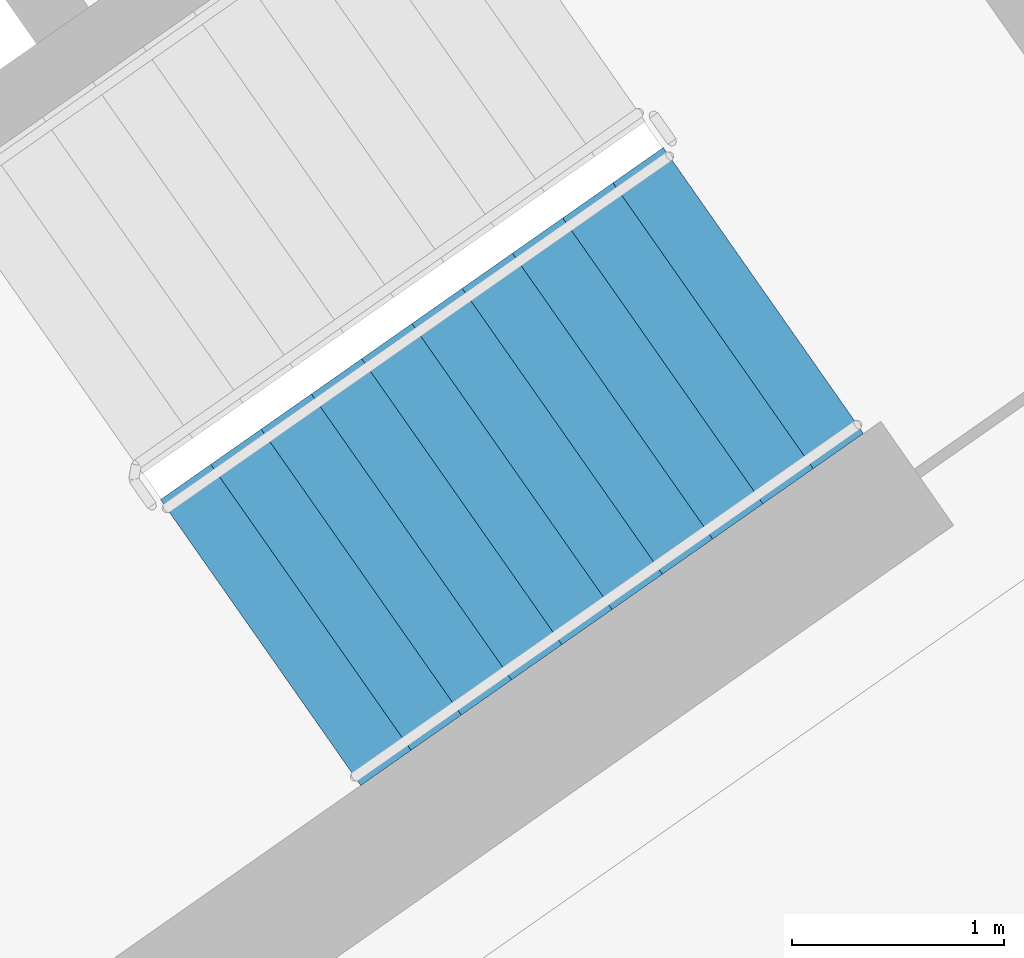
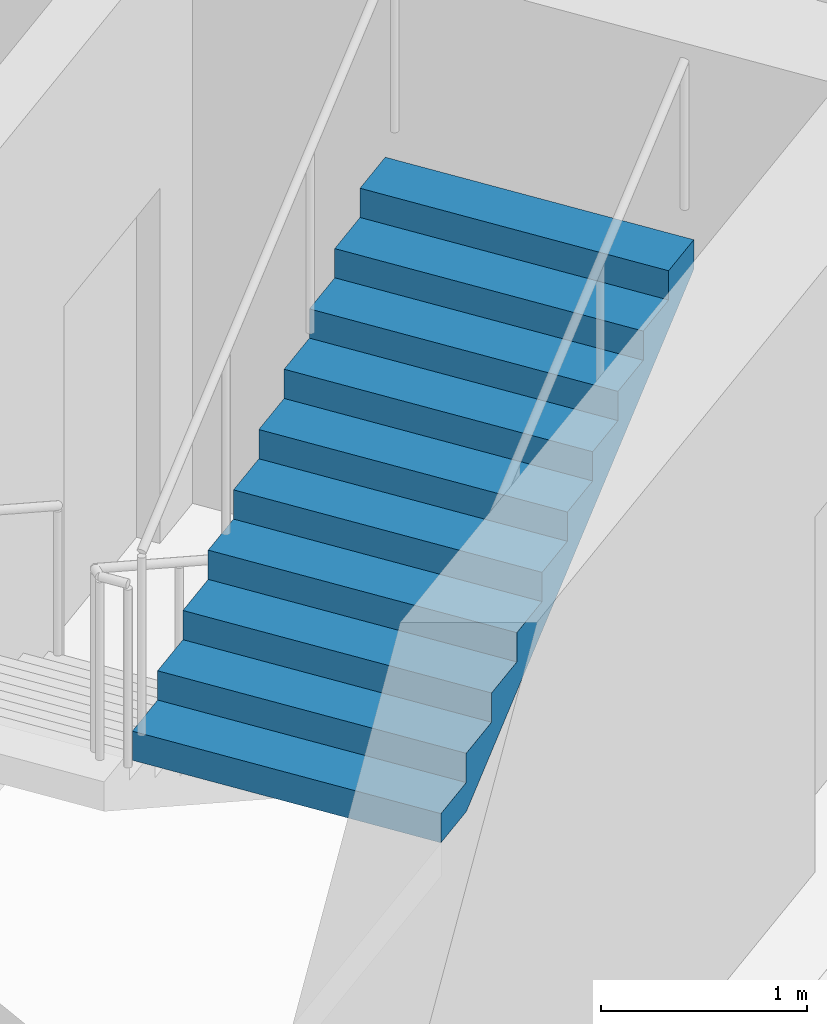
# One storey, part 14 of 27: 1 stair flight, 1 element without a shape of its own.
"""IFC4 building model written with IfcOpenShell, lengths in metres."""

from ifc_helpers import new_model, si_unit, direction, frame, origin, place, context, subcontext, project, spatial, faceted_brep, material, type_object, element, aggregate, save


model = new_model("IFC4")

# Units and contexts
model_context = context("Model", 3, precision=1e-05, world=origin(), true_north=direction((0.0, 1.0)))
body_context = subcontext(model_context, "Body", "Model", "MODEL_VIEW")
ifc_project = project(units=[si_unit("LENGTHUNIT", "METRE"), si_unit("AREAUNIT", "SQUARE_METRE"), si_unit("VOLUMEUNIT", "CUBIC_METRE"), si_unit("PLANEANGLEUNIT", "RADIAN"), si_unit("MASSUNIT", "GRAM", prefix="KILO")], contexts=[model_context])

# Site, building, storey
site_placement = place(None, origin())
site = spatial("IfcSite", under=ifc_project, at=site_placement, CompositionType="ELEMENT")
building_placement = place(site_placement, origin())
building = spatial("IfcBuilding", under=site, at=building_placement, Name="Qamariyya Broadcast Tower", CompositionType="ELEMENT")
storey_placement = place(building_placement, frame((0.0, 0.0, 172.10009765625)))
storey = spatial("IfcBuildingStorey", under=building, at=storey_placement, Name="L40", CompositionType="ELEMENT", Elevation=172.10009765625)

# Stair, stair flight
ifc_material = material(Name="Concrete C50/60", Category="concrete")
stair_type = type_object("IfcStairType", Name="Exit stair 22 risers of 173 mm", PredefinedType="HALF_TURN_STAIR", material=ifc_material)
stair_placement = place(storey_placement, origin())
stair = element("IfcStair", 1, at=stair_placement, inside=storey, type_object=stair_type, Name="L40 Stair E1", PredefinedType="HALF_TURN_STAIR")
stair_flight_type = type_object("IfcStairFlightType", Name="Exit stair flight 11 risers of 173 mm", PredefinedType="STRAIGHT", material=ifc_material)
stair_flight_placement = place(storey_placement, frame((44.693359375, -58.64599609375, 1.89990234375), z_axis=(0.0, 0.0, 1.0), x_axis=(0.819152044289, 0.573576436351, 0.0)))
stair_flight = element("IfcStairFlight", 2, at=stair_flight_placement, type_object=stair_flight_type, Name="ST-E1 flight 2", NumberOfRisers=11, NumberOfTreads=10, PredefinedType="STRAIGHT", RiserHeight=0.172727273, TreadLength=0.29, context=body_context, shape_type="Brep", body=[
    faceted_brep([(0.0, 0.824951171875, 0.0), (0.0, 0.824951171875, 0.172607421875), (0.2900390625, 0.824951171875, 0.172607421875), (0.2900390625, 0.824951171875, 0.345458984375), (0.580078125, 0.824951171875, 0.345458984375), (0.580078125, 0.824951171875, 0.51806640625), (0.8701171875, 0.824951171875, 0.51806640625), (0.8701171875, 0.824951171875, 0.69091796875), (1.159912109375, 0.824951171875, 0.69091796875), (1.159912109375, 0.824951171875, 0.863525390625), (1.449951171875, 0.824951171875, 0.863525390625), (1.449951171875, 0.824951171875, 1.036376953125), (1.739990234375, 0.824951171875, 1.036376953125), (1.739990234375, 0.824951171875, 1.208984375), (2.030029296875, 0.824951171875, 1.208984375), (2.030029296875, 0.824951171875, 1.3818359375), (2.320068359375, 0.824951171875, 1.3818359375), (2.320068359375, 0.824951171875, 1.554443359375), (2.610107421875, 0.824951171875, 1.554443359375), (2.610107421875, 0.824951171875, 1.727294921875), (2.89990234375, 0.824951171875, 1.727294921875), (2.89990234375, 0.824951171875, 1.552734375), (0.29296875, 0.824951171875, 0.0), (0.29296875, -0.824951171875, 0.0), (2.89990234375, -0.824951171875, 1.552734375), (2.89990234375, -0.824951171875, 1.727294921875), (2.610107421875, -0.824951171875, 1.727294921875), (2.610107421875, -0.824951171875, 1.554443359375), (2.320068359375, -0.824951171875, 1.554443359375), (2.320068359375, -0.824951171875, 1.3818359375), (2.030029296875, -0.824951171875, 1.3818359375), (2.030029296875, -0.824951171875, 1.208984375), (1.739990234375, -0.824951171875, 1.208984375), (1.739990234375, -0.824951171875, 1.036376953125), (1.449951171875, -0.824951171875, 1.036376953125), (1.449951171875, -0.824951171875, 0.863525390625), (1.159912109375, -0.824951171875, 0.863525390625), (1.159912109375, -0.824951171875, 0.69091796875), (0.8701171875, -0.824951171875, 0.69091796875), (0.8701171875, -0.824951171875, 0.51806640625), (0.580078125, -0.824951171875, 0.51806640625), (0.580078125, -0.824951171875, 0.345458984375), (0.2900390625, -0.824951171875, 0.345458984375), (0.2900390625, -0.824951171875, 0.172607421875), (0.0, -0.824951171875, 0.172607421875), (0.0, -0.824951171875, 0.0), (0.0, 0.10009765625, 0.0), (0.0, 0.086669921875, 0.0), (0.0, 0.0732421875, 0.0), (0.0, 0.06005859375, 0.0), (0.0, 0.046630859375, 0.0), (0.0, 0.033447265625, 0.0), (0.0, 0.02001953125, 0.0), (0.0, 0.006591796875, 0.0), (0.0, -0.006591796875, 0.0), (0.0, -0.02001953125, 0.0), (0.0, -0.033447265625, 0.0), (0.0, -0.046630859375, 0.0), (0.0, -0.06005859375, 0.0), (0.0, -0.0732421875, 0.0), (0.0, -0.086669921875, 0.0), (0.0, -0.10009765625, 0.0), (0.0, -0.10009765625, 0.172607421875), (0.0, -0.086669921875, 0.172607421875), (0.0, -0.0732421875, 0.172607421875), (0.0, -0.06005859375, 0.172607421875), (0.0, -0.046630859375, 0.172607421875), (0.0, -0.033447265625, 0.172607421875), (0.0, -0.02001953125, 0.172607421875), (0.0, -0.006591796875, 0.172607421875), (0.0, 0.006591796875, 0.172607421875), (0.0, 0.02001953125, 0.172607421875), (0.0, 0.033447265625, 0.172607421875), (0.0, 0.046630859375, 0.172607421875), (0.0, 0.06005859375, 0.172607421875), (0.0, 0.0732421875, 0.172607421875), (0.0, 0.086669921875, 0.172607421875), (0.0, 0.10009765625, 0.172607421875), (0.2900390625, -0.10009765625, 0.172607421875), (0.2900390625, -0.086669921875, 0.172607421875), (0.2900390625, -0.0732421875, 0.172607421875), (0.2900390625, -0.06005859375, 0.172607421875), (0.2900390625, -0.046630859375, 0.172607421875), (0.2900390625, -0.033447265625, 0.172607421875), (0.2900390625, -0.02001953125, 0.172607421875), (0.2900390625, -0.006591796875, 0.172607421875), (0.2900390625, 0.006591796875, 0.172607421875), (0.2900390625, 0.02001953125, 0.172607421875), (0.2900390625, 0.033447265625, 0.172607421875), (0.2900390625, 0.046630859375, 0.172607421875), (0.2900390625, 0.06005859375, 0.172607421875), (0.2900390625, 0.0732421875, 0.172607421875), (0.2900390625, 0.086669921875, 0.172607421875), (0.2900390625, 0.10009765625, 0.172607421875), (0.2900390625, -0.10009765625, 0.345458984375), (0.2900390625, -0.086669921875, 0.345458984375), (0.2900390625, -0.0732421875, 0.345458984375), (0.2900390625, -0.06005859375, 0.345458984375), (0.2900390625, -0.046630859375, 0.345458984375), (0.2900390625, -0.033447265625, 0.345458984375), (0.2900390625, -0.02001953125, 0.345458984375), (0.2900390625, -0.006591796875, 0.345458984375), (0.2900390625, 0.006591796875, 0.345458984375), (0.2900390625, 0.02001953125, 0.345458984375), (0.2900390625, 0.033447265625, 0.345458984375), (0.2900390625, 0.046630859375, 0.345458984375), (0.2900390625, 0.06005859375, 0.345458984375), (0.2900390625, 0.0732421875, 0.345458984375), (0.2900390625, 0.086669921875, 0.345458984375), (0.2900390625, 0.10009765625, 0.345458984375), (0.580078125, -0.10009765625, 0.345458984375), (0.580078125, -0.086669921875, 0.345458984375), (0.580078125, -0.0732421875, 0.345458984375), (0.580078125, -0.06005859375, 0.345458984375), (0.580078125, -0.046630859375, 0.345458984375), (0.580078125, -0.033447265625, 0.345458984375), (0.580078125, -0.02001953125, 0.345458984375), (0.580078125, -0.006591796875, 0.345458984375), (0.580078125, 0.006591796875, 0.345458984375), (0.580078125, 0.02001953125, 0.345458984375), (0.580078125, 0.033447265625, 0.345458984375), (0.580078125, 0.046630859375, 0.345458984375), (0.580078125, 0.06005859375, 0.345458984375), (0.580078125, 0.0732421875, 0.345458984375), (0.580078125, 0.086669921875, 0.345458984375), (0.580078125, 0.10009765625, 0.345458984375), (0.580078125, -0.10009765625, 0.51806640625), (0.580078125, -0.086669921875, 0.51806640625), (0.580078125, -0.0732421875, 0.51806640625), (0.580078125, -0.06005859375, 0.51806640625), (0.580078125, -0.046630859375, 0.51806640625), (0.580078125, -0.033447265625, 0.51806640625), (0.580078125, -0.02001953125, 0.51806640625), (0.580078125, -0.006591796875, 0.51806640625), (0.580078125, 0.006591796875, 0.51806640625), (0.580078125, 0.02001953125, 0.51806640625), (0.580078125, 0.033447265625, 0.51806640625), (0.580078125, 0.046630859375, 0.51806640625), (0.580078125, 0.06005859375, 0.51806640625), (0.580078125, 0.0732421875, 0.51806640625), (0.580078125, 0.086669921875, 0.51806640625), (0.580078125, 0.10009765625, 0.51806640625), (0.8701171875, -0.10009765625, 0.51806640625), (0.8701171875, -0.086669921875, 0.51806640625), (0.8701171875, -0.0732421875, 0.51806640625), (0.8701171875, -0.06005859375, 0.51806640625), (0.8701171875, -0.046630859375, 0.51806640625), (0.8701171875, -0.033447265625, 0.51806640625), (0.8701171875, -0.02001953125, 0.51806640625), (0.8701171875, -0.006591796875, 0.51806640625), (0.8701171875, 0.006591796875, 0.51806640625), (0.8701171875, 0.02001953125, 0.51806640625), (0.8701171875, 0.033447265625, 0.51806640625), (0.8701171875, 0.046630859375, 0.51806640625), (0.8701171875, 0.06005859375, 0.51806640625), (0.8701171875, 0.0732421875, 0.51806640625), (0.8701171875, 0.086669921875, 0.51806640625), (0.8701171875, 0.10009765625, 0.51806640625), (0.8701171875, -0.10009765625, 0.69091796875), (0.8701171875, -0.086669921875, 0.69091796875), (0.8701171875, -0.0732421875, 0.69091796875), (0.8701171875, -0.06005859375, 0.69091796875), (0.8701171875, -0.046630859375, 0.69091796875), (0.8701171875, -0.033447265625, 0.69091796875), (0.8701171875, -0.02001953125, 0.69091796875), (0.8701171875, -0.006591796875, 0.69091796875), (0.8701171875, 0.006591796875, 0.69091796875), (0.8701171875, 0.02001953125, 0.69091796875), (0.8701171875, 0.033447265625, 0.69091796875), (0.8701171875, 0.046630859375, 0.69091796875), (0.8701171875, 0.06005859375, 0.69091796875), (0.8701171875, 0.0732421875, 0.69091796875), (0.8701171875, 0.086669921875, 0.69091796875), (0.8701171875, 0.10009765625, 0.69091796875), (1.159912109375, -0.10009765625, 0.69091796875), (1.159912109375, -0.086669921875, 0.69091796875), (1.159912109375, -0.0732421875, 0.69091796875), (1.159912109375, -0.06005859375, 0.69091796875), (1.159912109375, -0.046630859375, 0.69091796875), (1.159912109375, -0.033447265625, 0.69091796875), (1.159912109375, -0.02001953125, 0.69091796875), (1.159912109375, -0.006591796875, 0.69091796875), (1.159912109375, 0.006591796875, 0.69091796875), (1.159912109375, 0.02001953125, 0.69091796875), (1.159912109375, 0.033447265625, 0.69091796875), (1.159912109375, 0.046630859375, 0.69091796875), (1.159912109375, 0.06005859375, 0.69091796875), (1.159912109375, 0.0732421875, 0.69091796875), (1.159912109375, 0.086669921875, 0.69091796875), (1.159912109375, 0.10009765625, 0.69091796875), (1.159912109375, -0.10009765625, 0.863525390625), (1.159912109375, -0.086669921875, 0.863525390625), (1.159912109375, -0.0732421875, 0.863525390625), (1.159912109375, -0.06005859375, 0.863525390625), (1.159912109375, -0.046630859375, 0.863525390625), (1.159912109375, -0.033447265625, 0.863525390625), (1.159912109375, -0.02001953125, 0.863525390625), (1.159912109375, -0.006591796875, 0.863525390625), (1.159912109375, 0.006591796875, 0.863525390625), (1.159912109375, 0.02001953125, 0.863525390625), (1.159912109375, 0.033447265625, 0.863525390625), (1.159912109375, 0.046630859375, 0.863525390625), (1.159912109375, 0.06005859375, 0.863525390625), (1.159912109375, 0.0732421875, 0.863525390625), (1.159912109375, 0.086669921875, 0.863525390625), (1.159912109375, 0.10009765625, 0.863525390625), (1.449951171875, -0.10009765625, 0.863525390625), (1.449951171875, -0.086669921875, 0.863525390625), (1.449951171875, -0.0732421875, 0.863525390625), (1.449951171875, -0.06005859375, 0.863525390625), (1.449951171875, -0.046630859375, 0.863525390625), (1.449951171875, -0.033447265625, 0.863525390625), (1.449951171875, -0.02001953125, 0.863525390625), (1.449951171875, -0.006591796875, 0.863525390625), (1.449951171875, 0.006591796875, 0.863525390625), (1.449951171875, 0.02001953125, 0.863525390625), (1.449951171875, 0.033447265625, 0.863525390625), (1.449951171875, 0.046630859375, 0.863525390625), (1.449951171875, 0.06005859375, 0.863525390625), (1.449951171875, 0.0732421875, 0.863525390625), (1.449951171875, 0.086669921875, 0.863525390625), (1.449951171875, 0.10009765625, 0.863525390625), (1.449951171875, -0.10009765625, 1.036376953125), (1.449951171875, -0.086669921875, 1.036376953125), (1.449951171875, -0.0732421875, 1.036376953125), (1.449951171875, -0.06005859375, 1.036376953125), (1.449951171875, -0.046630859375, 1.036376953125), (1.449951171875, -0.033447265625, 1.036376953125), (1.449951171875, -0.02001953125, 1.036376953125), (1.449951171875, -0.006591796875, 1.036376953125), (1.449951171875, 0.006591796875, 1.036376953125), (1.449951171875, 0.02001953125, 1.036376953125), (1.449951171875, 0.033447265625, 1.036376953125), (1.449951171875, 0.046630859375, 1.036376953125), (1.449951171875, 0.06005859375, 1.036376953125), (1.449951171875, 0.0732421875, 1.036376953125), (1.449951171875, 0.086669921875, 1.036376953125), (1.449951171875, 0.10009765625, 1.036376953125), (1.739990234375, -0.10009765625, 1.036376953125), (1.739990234375, -0.086669921875, 1.036376953125), (1.739990234375, -0.0732421875, 1.036376953125), (1.739990234375, -0.06005859375, 1.036376953125), (1.739990234375, -0.046630859375, 1.036376953125), (1.739990234375, -0.033447265625, 1.036376953125), (1.739990234375, -0.02001953125, 1.036376953125), (1.739990234375, -0.006591796875, 1.036376953125), (1.739990234375, 0.006591796875, 1.036376953125), (1.739990234375, 0.02001953125, 1.036376953125), (1.739990234375, 0.033447265625, 1.036376953125), (1.739990234375, 0.046630859375, 1.036376953125), (1.739990234375, 0.06005859375, 1.036376953125), (1.739990234375, 0.0732421875, 1.036376953125), (1.739990234375, 0.086669921875, 1.036376953125), (1.739990234375, 0.10009765625, 1.036376953125), (1.739990234375, -0.10009765625, 1.208984375), (1.739990234375, -0.086669921875, 1.208984375), (1.739990234375, -0.0732421875, 1.208984375), (1.739990234375, -0.06005859375, 1.208984375), (1.739990234375, -0.046630859375, 1.208984375), (1.739990234375, -0.033447265625, 1.208984375), (1.739990234375, -0.02001953125, 1.208984375), (1.739990234375, -0.006591796875, 1.208984375), (1.739990234375, 0.006591796875, 1.208984375), (1.739990234375, 0.02001953125, 1.208984375), (1.739990234375, 0.033447265625, 1.208984375), (1.739990234375, 0.046630859375, 1.208984375), (1.739990234375, 0.06005859375, 1.208984375), (1.739990234375, 0.0732421875, 1.208984375), (1.739990234375, 0.086669921875, 1.208984375), (1.739990234375, 0.10009765625, 1.208984375), (2.030029296875, -0.10009765625, 1.208984375), (2.030029296875, -0.086669921875, 1.208984375), (2.030029296875, -0.0732421875, 1.208984375), (2.030029296875, -0.06005859375, 1.208984375), (2.030029296875, -0.046630859375, 1.208984375), (2.030029296875, -0.033447265625, 1.208984375), (2.030029296875, -0.02001953125, 1.208984375), (2.030029296875, -0.006591796875, 1.208984375), (2.030029296875, 0.006591796875, 1.208984375), (2.030029296875, 0.02001953125, 1.208984375), (2.030029296875, 0.033447265625, 1.208984375), (2.030029296875, 0.046630859375, 1.208984375), (2.030029296875, 0.06005859375, 1.208984375), (2.030029296875, 0.0732421875, 1.208984375), (2.030029296875, 0.086669921875, 1.208984375), (2.030029296875, 0.10009765625, 1.208984375), (2.030029296875, -0.10009765625, 1.3818359375), (2.030029296875, -0.086669921875, 1.3818359375), (2.030029296875, -0.0732421875, 1.3818359375), (2.030029296875, -0.06005859375, 1.3818359375), (2.030029296875, -0.046630859375, 1.3818359375), (2.030029296875, -0.033447265625, 1.3818359375), (2.030029296875, -0.02001953125, 1.3818359375), (2.030029296875, -0.006591796875, 1.3818359375), (2.030029296875, 0.006591796875, 1.3818359375), (2.030029296875, 0.02001953125, 1.3818359375), (2.030029296875, 0.033447265625, 1.3818359375), (2.030029296875, 0.046630859375, 1.3818359375), (2.030029296875, 0.06005859375, 1.3818359375), (2.030029296875, 0.0732421875, 1.3818359375), (2.030029296875, 0.086669921875, 1.3818359375), (2.030029296875, 0.10009765625, 1.3818359375), (2.320068359375, -0.10009765625, 1.3818359375), (2.320068359375, -0.086669921875, 1.3818359375), (2.320068359375, -0.0732421875, 1.3818359375), (2.320068359375, -0.06005859375, 1.3818359375), (2.320068359375, -0.046630859375, 1.3818359375), (2.320068359375, -0.033447265625, 1.3818359375), (2.320068359375, -0.02001953125, 1.3818359375), (2.320068359375, -0.006591796875, 1.3818359375), (2.320068359375, 0.006591796875, 1.3818359375), (2.320068359375, 0.02001953125, 1.3818359375), (2.320068359375, 0.033447265625, 1.3818359375), (2.320068359375, 0.046630859375, 1.3818359375), (2.320068359375, 0.06005859375, 1.3818359375), (2.320068359375, 0.0732421875, 1.3818359375), (2.320068359375, 0.086669921875, 1.3818359375), (2.320068359375, 0.10009765625, 1.3818359375), (2.320068359375, -0.10009765625, 1.554443359375), (2.320068359375, -0.086669921875, 1.554443359375), (2.320068359375, -0.0732421875, 1.554443359375), (2.320068359375, -0.06005859375, 1.554443359375), (2.320068359375, -0.046630859375, 1.554443359375), (2.320068359375, -0.033447265625, 1.554443359375), (2.320068359375, -0.02001953125, 1.554443359375), (2.320068359375, -0.006591796875, 1.554443359375), (2.320068359375, 0.006591796875, 1.554443359375), (2.320068359375, 0.02001953125, 1.554443359375), (2.320068359375, 0.033447265625, 1.554443359375), (2.320068359375, 0.046630859375, 1.554443359375), (2.320068359375, 0.06005859375, 1.554443359375), (2.320068359375, 0.0732421875, 1.554443359375), (2.320068359375, 0.086669921875, 1.554443359375), (2.320068359375, 0.10009765625, 1.554443359375), (2.610107421875, -0.10009765625, 1.554443359375), (2.610107421875, -0.086669921875, 1.554443359375), (2.610107421875, -0.0732421875, 1.554443359375), (2.610107421875, -0.06005859375, 1.554443359375), (2.610107421875, -0.046630859375, 1.554443359375), (2.610107421875, -0.033447265625, 1.554443359375), (2.610107421875, -0.02001953125, 1.554443359375), (2.610107421875, -0.006591796875, 1.554443359375), (2.610107421875, 0.006591796875, 1.554443359375), (2.610107421875, 0.02001953125, 1.554443359375), (2.610107421875, 0.033447265625, 1.554443359375), (2.610107421875, 0.046630859375, 1.554443359375), (2.610107421875, 0.06005859375, 1.554443359375), (2.610107421875, 0.0732421875, 1.554443359375), (2.610107421875, 0.086669921875, 1.554443359375), (2.610107421875, 0.10009765625, 1.554443359375), (2.610107421875, -0.10009765625, 1.727294921875), (2.610107421875, -0.086669921875, 1.727294921875), (2.610107421875, -0.0732421875, 1.727294921875), (2.610107421875, -0.06005859375, 1.727294921875), (2.610107421875, -0.046630859375, 1.727294921875), (2.610107421875, -0.033447265625, 1.727294921875), (2.610107421875, -0.02001953125, 1.727294921875), (2.610107421875, -0.006591796875, 1.727294921875), (2.610107421875, 0.006591796875, 1.727294921875), (2.610107421875, 0.02001953125, 1.727294921875), (2.610107421875, 0.033447265625, 1.727294921875), (2.610107421875, 0.046630859375, 1.727294921875), (2.610107421875, 0.06005859375, 1.727294921875), (2.610107421875, 0.0732421875, 1.727294921875), (2.610107421875, 0.086669921875, 1.727294921875), (2.610107421875, 0.10009765625, 1.727294921875), (2.89990234375, -0.10009765625, 1.727294921875), (2.89990234375, -0.086669921875, 1.727294921875), (2.89990234375, -0.0732421875, 1.727294921875), (2.89990234375, -0.06005859375, 1.727294921875), (2.89990234375, -0.046630859375, 1.727294921875), (2.89990234375, -0.033447265625, 1.727294921875), (2.89990234375, -0.02001953125, 1.727294921875), (2.89990234375, -0.006591796875, 1.727294921875), (2.89990234375, 0.006591796875, 1.727294921875), (2.89990234375, 0.02001953125, 1.727294921875), (2.89990234375, 0.033447265625, 1.727294921875), (2.89990234375, 0.046630859375, 1.727294921875), (2.89990234375, 0.06005859375, 1.727294921875), (2.89990234375, 0.0732421875, 1.727294921875), (2.89990234375, 0.086669921875, 1.727294921875), (2.89990234375, 0.10009765625, 1.727294921875), (2.89990234375, -0.10009765625, 1.552734375), (2.89990234375, -0.086669921875, 1.552734375), (2.89990234375, -0.0732421875, 1.552734375), (2.89990234375, -0.06005859375, 1.552734375), (2.89990234375, -0.046630859375, 1.552734375), (2.89990234375, -0.033447265625, 1.552734375), (2.89990234375, -0.02001953125, 1.552734375), (2.89990234375, -0.006591796875, 1.552734375), (2.89990234375, 0.006591796875, 1.552734375), (2.89990234375, 0.02001953125, 1.552734375), (2.89990234375, 0.033447265625, 1.552734375), (2.89990234375, 0.046630859375, 1.552734375), (2.89990234375, 0.06005859375, 1.552734375), (2.89990234375, 0.0732421875, 1.552734375), (2.89990234375, 0.086669921875, 1.552734375), (2.89990234375, 0.10009765625, 1.552734375), (0.29296875, -0.10009765625, 0.0), (0.29296875, -0.086669921875, 0.0), (0.29296875, -0.0732421875, 0.0), (0.29296875, -0.06005859375, 0.0), (0.29296875, -0.046630859375, 0.0), (0.29296875, -0.033447265625, 0.0), (0.29296875, -0.02001953125, 0.0), (0.29296875, -0.006591796875, 0.0), (0.29296875, 0.006591796875, 0.0), (0.29296875, 0.02001953125, 0.0), (0.29296875, 0.033447265625, 0.0), (0.29296875, 0.046630859375, 0.0), (0.29296875, 0.06005859375, 0.0), (0.29296875, 0.0732421875, 0.0), (0.29296875, 0.086669921875, 0.0), (0.29296875, 0.10009765625, 0.0)], [[[0, 1, 2, 3, 4, 5, 6, 7, 8, 9, 10, 11, 12, 13, 14, 15, 16, 17, 18, 19, 20, 21, 22]], [[23, 24, 25, 26, 27, 28, 29, 30, 31, 32, 33, 34, 35, 36, 37, 38, 39, 40, 41, 42, 43, 44, 45]], [[0, 46, 47, 48, 49, 50, 51, 52, 53, 54, 55, 56, 57, 58, 59, 60, 61, 45, 44, 62, 63, 64, 65, 66, 67, 68, 69, 70, 71, 72, 73, 74, 75, 76, 77, 1]], [[1, 77, 76, 75, 74, 73, 72, 71, 70, 69, 68, 67, 66, 65, 64, 63, 62, 44, 43, 78, 79, 80, 81, 82, 83, 84, 85, 86, 87, 88, 89, 90, 91, 92, 93, 2]], [[2, 93, 92, 91, 90, 89, 88, 87, 86, 85, 84, 83, 82, 81, 80, 79, 78, 43, 42, 94, 95, 96, 97, 98, 99, 100, 101, 102, 103, 104, 105, 106, 107, 108, 109, 3]], [[3, 109, 108, 107, 106, 105, 104, 103, 102, 101, 100, 99, 98, 97, 96, 95, 94, 42, 41, 110, 111, 112, 113, 114, 115, 116, 117, 118, 119, 120, 121, 122, 123, 124, 125, 4]], [[4, 125, 124, 123, 122, 121, 120, 119, 118, 117, 116, 115, 114, 113, 112, 111, 110, 41, 40, 126, 127, 128, 129, 130, 131, 132, 133, 134, 135, 136, 137, 138, 139, 140, 141, 5]], [[5, 141, 140, 139, 138, 137, 136, 135, 134, 133, 132, 131, 130, 129, 128, 127, 126, 40, 39, 142, 143, 144, 145, 146, 147, 148, 149, 150, 151, 152, 153, 154, 155, 156, 157, 6]], [[6, 157, 156, 155, 154, 153, 152, 151, 150, 149, 148, 147, 146, 145, 144, 143, 142, 39, 38, 158, 159, 160, 161, 162, 163, 164, 165, 166, 167, 168, 169, 170, 171, 172, 173, 7]], [[7, 173, 172, 171, 170, 169, 168, 167, 166, 165, 164, 163, 162, 161, 160, 159, 158, 38, 37, 174, 175, 176, 177, 178, 179, 180, 181, 182, 183, 184, 185, 186, 187, 188, 189, 8]], [[8, 189, 188, 187, 186, 185, 184, 183, 182, 181, 180, 179, 178, 177, 176, 175, 174, 37, 36, 190, 191, 192, 193, 194, 195, 196, 197, 198, 199, 200, 201, 202, 203, 204, 205, 9]], [[9, 205, 204, 203, 202, 201, 200, 199, 198, 197, 196, 195, 194, 193, 192, 191, 190, 36, 35, 206, 207, 208, 209, 210, 211, 212, 213, 214, 215, 216, 217, 218, 219, 220, 221, 10]], [[10, 221, 220, 219, 218, 217, 216, 215, 214, 213, 212, 211, 210, 209, 208, 207, 206, 35, 34, 222, 223, 224, 225, 226, 227, 228, 229, 230, 231, 232, 233, 234, 235, 236, 237, 11]], [[11, 237, 236, 235, 234, 233, 232, 231, 230, 229, 228, 227, 226, 225, 224, 223, 222, 34, 33, 238, 239, 240, 241, 242, 243, 244, 245, 246, 247, 248, 249, 250, 251, 252, 253, 12]], [[12, 253, 252, 251, 250, 249, 248, 247, 246, 245, 244, 243, 242, 241, 240, 239, 238, 33, 32, 254, 255, 256, 257, 258, 259, 260, 261, 262, 263, 264, 265, 266, 267, 268, 269, 13]], [[13, 269, 268, 267, 266, 265, 264, 263, 262, 261, 260, 259, 258, 257, 256, 255, 254, 32, 31, 270, 271, 272, 273, 274, 275, 276, 277, 278, 279, 280, 281, 282, 283, 284, 285, 14]], [[14, 285, 284, 283, 282, 281, 280, 279, 278, 277, 276, 275, 274, 273, 272, 271, 270, 31, 30, 286, 287, 288, 289, 290, 291, 292, 293, 294, 295, 296, 297, 298, 299, 300, 301, 15]], [[15, 301, 300, 299, 298, 297, 296, 295, 294, 293, 292, 291, 290, 289, 288, 287, 286, 30, 29, 302, 303, 304, 305, 306, 307, 308, 309, 310, 311, 312, 313, 314, 315, 316, 317, 16]], [[16, 317, 316, 315, 314, 313, 312, 311, 310, 309, 308, 307, 306, 305, 304, 303, 302, 29, 28, 318, 319, 320, 321, 322, 323, 324, 325, 326, 327, 328, 329, 330, 331, 332, 333, 17]], [[17, 333, 332, 331, 330, 329, 328, 327, 326, 325, 324, 323, 322, 321, 320, 319, 318, 28, 27, 334, 335, 336, 337, 338, 339, 340, 341, 342, 343, 344, 345, 346, 347, 348, 349, 18]], [[18, 349, 348, 347, 346, 345, 344, 343, 342, 341, 340, 339, 338, 337, 336, 335, 334, 27, 26, 350, 351, 352, 353, 354, 355, 356, 357, 358, 359, 360, 361, 362, 363, 364, 365, 19]], [[19, 365, 364, 363, 362, 361, 360, 359, 358, 357, 356, 355, 354, 353, 352, 351, 350, 26, 25, 366, 367, 368, 369, 370, 371, 372, 373, 374, 375, 376, 377, 378, 379, 380, 381, 20]], [[20, 381, 380, 379, 378, 377, 376, 375, 374, 373, 372, 371, 370, 369, 368, 367, 366, 25, 24, 382, 383, 384, 385, 386, 387, 388, 389, 390, 391, 392, 393, 394, 395, 396, 397, 21]], [[21, 397, 396, 395, 394, 393, 392, 391, 390, 389, 388, 387, 386, 385, 384, 383, 382, 24, 23, 398, 399, 400, 401, 402, 403, 404, 405, 406, 407, 408, 409, 410, 411, 412, 413, 22]], [[22, 413, 412, 411, 410, 409, 408, 407, 406, 405, 404, 403, 402, 401, 400, 399, 398, 23, 45, 61, 60, 59, 58, 57, 56, 55, 54, 53, 52, 51, 50, 49, 48, 47, 46, 0]]]),
])
aggregate(stair, [stair_flight])

save(model, "model.ifc")
